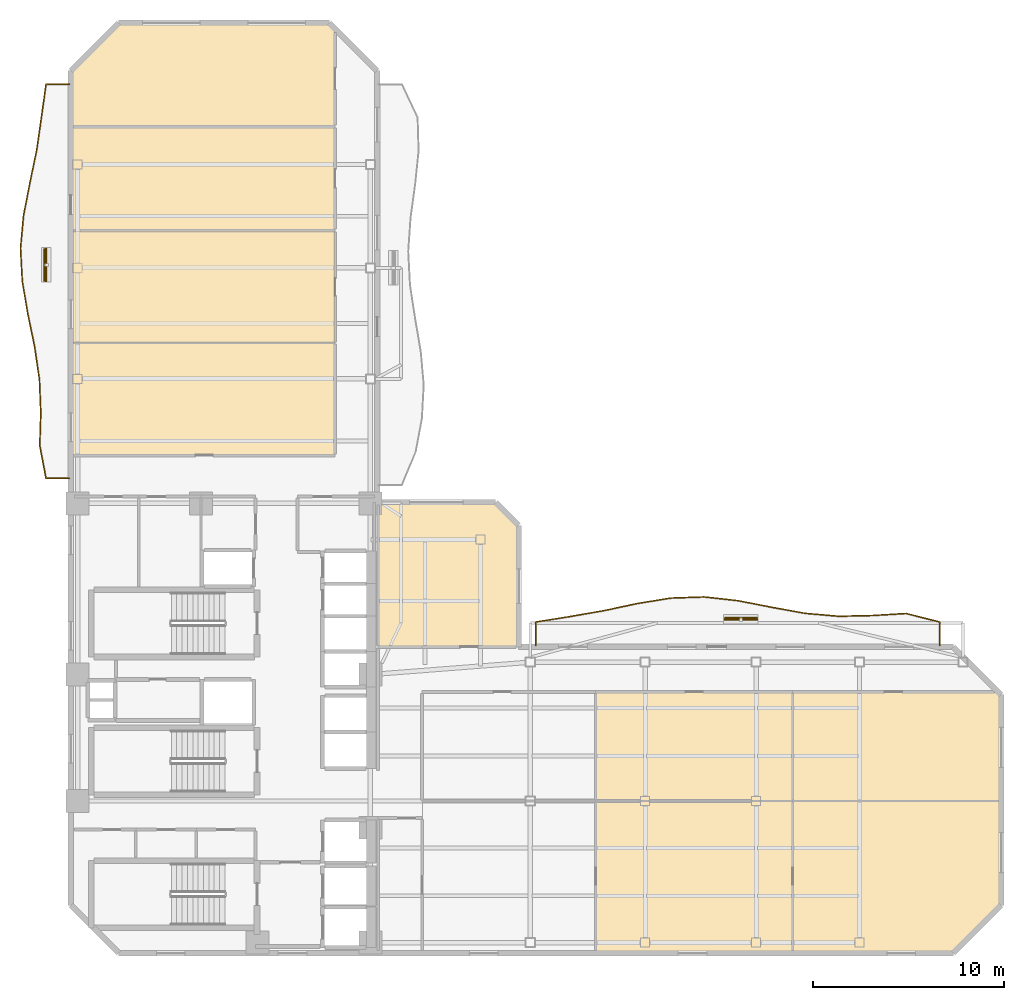
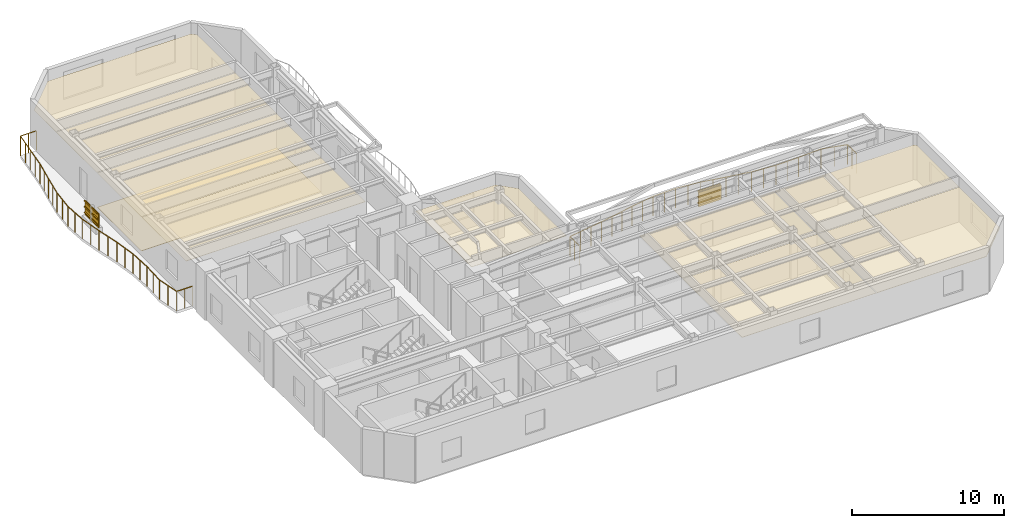
# One storey, part 8 of 9: 10 coverings, 8 shading devices, 2 railings.
"""IFC4 building model written with IfcOpenShell, lengths in metres."""

from ifc_helpers import new_model, si_unit, direction, frame, origin, origin_2d, place, context, subcontext, project, spatial, polyline, rectangle, outline, extrude, material, layer, layer_set, material_profile, profile_set, type_object, element, save


model = new_model("IFC4")

# Units and contexts
model_context = context("Model", 3, precision=1e-05, world=origin(), true_north=direction((0.0, 1.0)))
body_context = subcontext(model_context, "Body", "Model", "MODEL_VIEW")
ifc_project = project(units=[si_unit("LENGTHUNIT", "METRE"), si_unit("AREAUNIT", "SQUARE_METRE"), si_unit("VOLUMEUNIT", "CUBIC_METRE"), si_unit("PLANEANGLEUNIT", "RADIAN"), si_unit("MASSUNIT", "GRAM", prefix="KILO")], contexts=[model_context])

# Site, building, storey
site_placement = place(None, origin())
site = spatial("IfcSite", under=ifc_project, at=site_placement, CompositionType="ELEMENT")
building_placement = place(site_placement, origin())
building = spatial("IfcBuilding", under=site, at=building_placement, Name="Mawjaban Terraces University", CompositionType="ELEMENT")
storey_placement = place(building_placement, frame((0.0, 0.0, 154.10009765625)))
storey = spatial("IfcBuildingStorey", under=building, at=storey_placement, Name="L37", CompositionType="ELEMENT", Elevation=154.10009765625)

# Coverings
ifc_material_1 = material(Name="Acoustic mineral fibre ceiling tile", Category="masonry")
ifc_layer_1 = layer(ifc_material_1, 0.02001953125)
ifc_layer_set_1 = layer_set([ifc_layer_1], Name="Acoustic mineral fibre ceiling tile")
covering_type_1 = type_object("IfcCoveringType", Name="AcousticMineralCeiling_20", PredefinedType="CEILING", material=ifc_layer_set_1)
covering_1_placement = place(storey_placement, frame((0.0, 0.0, 2.75)))
element("IfcCovering", 1, at=covering_1_placement, inside=storey, type_object=covering_type_1, Name="L37 Academic Counseling Room 4 Acoustic Ceiling", PredefinedType="CEILING", context=body_context, shape_type="SweptSolid", body=[
    extrude(outline(polyline([(49.455078125, 0.114990234375), (59.679931640625, 0.114990234375), (59.679931640625, 7.919921875), (49.455078125, 7.919921875), (49.455078125, 0.114990234375)])), origin(), (0.0, 0.0, 1.0), 0.02001953125),
])
covering_2_placement = place(storey_placement, frame((0.0, 0.0, 2.75)))
element("IfcCovering", 2, at=covering_2_placement, inside=storey, type_object=covering_type_1, Name="L37 Faculty Office 5 Acoustic Ceiling", PredefinedType="CEILING", context=body_context, shape_type="SweptSolid", body=[
    extrude(outline(polyline([(59.679931640625, 7.97998046875), (59.679931640625, 13.6201171875), (49.455078125, 13.6201171875), (49.455078125, 7.97998046875), (59.679931640625, 7.97998046875)])), origin(), (0.0, 0.0, 1.0), 0.02001953125),
])
covering_3_placement = place(storey_placement, frame((0.0, 0.0, 2.75)))
element("IfcCovering", 3, at=covering_3_placement, inside=storey, type_object=covering_type_1, Name="L37 Departmental Office 6 Acoustic Ceiling", PredefinedType="CEILING", context=body_context, shape_type="SweptSolid", body=[
    extrude(outline(polyline([(59.739990234375, 0.114990234375), (68.052978515625, 0.114990234375), (70.485107421875, 2.547119140625), (70.485107421875, 7.919921875), (59.739990234375, 7.919921875), (59.739990234375, 0.114990234375)])), origin(), (0.0, 0.0, 1.0), 0.02001953125),
])
covering_4_placement = place(storey_placement, frame((0.0, 0.0, 2.75)))
element("IfcCovering", 4, at=covering_4_placement, inside=storey, type_object=covering_type_1, Name="L37 Faculty Office 7 Acoustic Ceiling", PredefinedType="CEILING", context=body_context, shape_type="SweptSolid", body=[
    extrude(outline(polyline([(70.485107421875, 7.97998046875), (70.485107421875, 13.452880859375), (70.318115234375, 13.6201171875), (59.739990234375, 13.6201171875), (59.739990234375, 7.97998046875), (70.485107421875, 7.97998046875)])), origin(), (0.0, 0.0, 1.0), 0.02001953125),
])
covering_5_placement = place(storey_placement, frame((0.0, 0.0, 2.75)))
element("IfcCovering", 5, at=covering_5_placement, inside=storey, type_object=covering_type_1, Name="L37 Departmental Office 8 Acoustic Ceiling", PredefinedType="CEILING", context=body_context, shape_type="SweptSolid", body=[
    extrude(outline(polyline([(22.114990234375, 31.845947265625), (22.114990234375, 26.030029296875), (35.77001953125, 26.030029296875), (35.77001953125, 31.845947265625), (22.114990234375, 31.845947265625)])), origin(), (0.0, 0.0, 1.0), 0.02001953125),
])
covering_6_placement = place(storey_placement, frame((0.0, 0.0, 2.75)))
element("IfcCovering", 6, at=covering_6_placement, inside=storey, type_object=covering_type_1, Name="L37 Quiet Reading Room 9 Acoustic Ceiling", PredefinedType="CEILING", context=body_context, shape_type="SweptSolid", body=[
    extrude(outline(polyline([(22.114990234375, 37.721923828125), (22.114990234375, 31.906005859375), (35.77001953125, 31.906005859375), (35.77001953125, 37.721923828125), (22.114990234375, 37.721923828125)])), origin(), (0.0, 0.0, 1.0), 0.02001953125),
])
covering_7_placement = place(storey_placement, frame((0.0, 0.0, 2.75)))
element("IfcCovering", 7, at=covering_7_placement, inside=storey, type_object=covering_type_1, Name="L37 Media Workshop 10 Acoustic Ceiling", PredefinedType="CEILING", context=body_context, shape_type="SweptSolid", body=[
    extrude(outline(polyline([(22.114990234375, 43.14599609375), (22.114990234375, 37.781982421875), (35.77001953125, 37.781982421875), (35.77001953125, 43.14599609375), (22.114990234375, 43.14599609375)])), origin(), (0.0, 0.0, 1.0), 0.02001953125),
])
covering_8_placement = place(storey_placement, frame((0.0, 0.0, 2.75)))
element("IfcCovering", 8, at=covering_8_placement, inside=storey, type_object=covering_type_1, Name="L37 Teaching Laboratory 11 Acoustic Ceiling", PredefinedType="CEILING", context=body_context, shape_type="SweptSolid", body=[
    extrude(outline(polyline([(35.77001953125, 48.16796875), (35.452880859375, 48.485107421875), (24.547119140625, 48.485107421875), (22.114990234375, 46.052978515625), (22.114990234375, 43.2060546875), (35.77001953125, 43.2060546875), (35.77001953125, 48.16796875)])), origin(), (0.0, 0.0, 1.0), 0.02001953125),
])
covering_9_placement = place(storey_placement, frame((0.0, 0.0, 2.75)))
element("IfcCovering", 9, at=covering_9_placement, inside=storey, type_object=covering_type_1, Name="L37 Terrace Collaborative Study Room Acoustic Ceiling", PredefinedType="CEILING", context=body_context, shape_type="SweptSolid", body=[
    extrude(outline(polyline([(45.279052734375, 16.030029296875), (45.279052734375, 22.302978515625), (44.14697265625, 23.43505859375), (38.080078125, 23.43505859375), (38.080078125, 16.030029296875), (45.279052734375, 16.030029296875)])), origin(), (0.0, 0.0, 1.0), 0.02001953125),
])

# Railings
ifc_material_2 = material(Name="Galvanised powder-coated steel S355", Category="steel")
railing_type = type_object("IfcRailingType", Name="BalconyBalustrade_1600", PredefinedType="BALUSTRADE", material=ifc_material_2)
railing_1_placement = place(storey_placement, frame((21.919921875, 24.800048828125, 0.0)))
element("IfcRailing", 10, at=railing_1_placement, inside=storey, type_object=railing_type, Name="L37 Balcony Guardrail west", PredefinedType="BALUSTRADE", context=body_context, shape_type="SweptSolid", body=[
    extrude(rectangle(XDim=0.048095703125, YDim=0.048095703125, at=origin_2d()), frame((0.0, 0.0, 1.576171875), z_axis=(-1.0, 0.0, 0.0), x_axis=(0.0, -1.0, 0.0)), (0.0, 0.0, 1.0), 1.219970703125),
    extrude(rectangle(XDim=0.048095703125, YDim=0.048095703125, at=origin_2d()), frame((-1.219970703125, 0.0, 1.576171875), z_axis=(-0.188106664476, 0.982148605242, 0.0), x_axis=(-0.982148605242, -0.188106664476, 0.0)), (0.0, 0.0, 1.0), 1.748291015625),
    extrude(rectangle(XDim=0.048095703125, YDim=0.048095703125, at=origin_2d()), frame((-1.548828125, 1.717041015625, 1.576171875), z_axis=(0.03143011033, 0.999505952041, 0.0), x_axis=(-0.999505952041, 0.03143011033, 0.0)), (0.0, 0.0, 1.0), 1.716552734375),
    extrude(rectangle(XDim=0.048095703125, YDim=0.048095703125, at=origin_2d()), frame((-1.494873046875, 3.432861328125, 1.576171875), z_axis=(-0.04020633666, 0.999191398328, 0.0), x_axis=(-0.999191398328, -0.04020633666, 0.0)), (0.0, 0.0, 1.0), 1.718505859375),
    extrude(rectangle(XDim=0.048095703125, YDim=0.048095703125, at=origin_2d()), frame((-1.56396484375, 5.14990234375, 1.576171875), z_axis=(-0.144631200017, 0.989485632024, 0.0), x_axis=(-0.989485632024, -0.144631200017, 0.0)), (0.0, 0.0, 1.0), 1.7353515625),
    extrude(rectangle(XDim=0.048095703125, YDim=0.048095703125, at=origin_2d()), frame((-1.81494140625, 6.866943359375, 1.576171875), z_axis=(-0.200964718739, 0.9795984799, 0.0), x_axis=(-0.9795984799, -0.200964718739, 0.0)), (0.0, 0.0, 1.0), 1.751708984375),
    extrude(rectangle(XDim=0.048095703125, YDim=0.048095703125, at=origin_2d()), frame((-2.1669921875, 8.5830078125, 1.576171875), z_axis=(-0.168738195739, 0.985660905839, 0.0), x_axis=(-0.985660905839, -0.168738195739, 0.0)), (0.0, 0.0, 1.0), 1.741943359375),
    extrude(rectangle(XDim=0.048095703125, YDim=0.048095703125, at=origin_2d()), frame((-2.4609375, 10.300048828125, 1.576171875), z_axis=(-0.05410153618, 0.998535439423, 0.0), x_axis=(-0.998535439423, -0.05410153618, 0.0)), (0.0, 0.0, 1.0), 1.71923828125),
    extrude(rectangle(XDim=0.048095703125, YDim=0.048095703125, at=origin_2d()), frame((-2.553955078125, 12.016845703125, 1.576171875), z_axis=(0.091659749456, 0.995790384735, 0.0), x_axis=(-0.995790384735, 0.091659749456, 0.0)), (0.0, 0.0, 1.0), 1.723388671875),
    extrude(rectangle(XDim=0.048095703125, YDim=0.048095703125, at=origin_2d()), frame((-2.39599609375, 13.73291015625, 1.576171875), z_axis=(0.190395148573, 0.981707536591, 0.0), x_axis=(-0.981707536591, 0.190395148573, 0.0)), (0.0, 0.0, 1.0), 1.7490234375),
    extrude(rectangle(XDim=0.048095703125, YDim=0.048095703125, at=origin_2d()), frame((-2.06298828125, 15.449951171875, 1.576171875), z_axis=(0.203659617405, 0.979041756126, 0.0), x_axis=(-0.979041756126, 0.203659617405, 0.0)), (0.0, 0.0, 1.0), 1.75390625),
    extrude(rectangle(XDim=0.048095703125, YDim=0.048095703125, at=origin_2d()), frame((-1.705810546875, 17.1669921875, 1.576171875), z_axis=(0.141815668625, 0.989893083182, 0.0), x_axis=(-0.989893083182, 0.141815668625, 0.0)), (0.0, 0.0, 1.0), 1.733642578125),
    extrude(rectangle(XDim=0.048095703125, YDim=0.048095703125, at=origin_2d()), frame((-1.4599609375, 18.883056640625, 1.576171875), z_axis=(0.138443408744, 0.990370346171, 0.0), x_axis=(-0.990370346171, 0.138443408744, 0.0)), (0.0, 0.0, 1.0), 1.7333984375),
    extrude(rectangle(XDim=0.048095703125, YDim=0.048095703125, at=origin_2d()), frame((-1.219970703125, 20.599853515625, 1.576171875), z_axis=(1.0, 0.0, 0.0), x_axis=(0.0, 1.0, 0.0)), (0.0, 0.0, 1.0), 1.219970703125),
    extrude(rectangle(XDim=0.0419921875, YDim=0.0419921875, at=origin_2d()), origin(), (0.0, 0.0, 1.0), 1.552001953125),
    extrude(rectangle(XDim=0.0419921875, YDim=0.0419921875, at=origin_2d()), frame((-0.60986328125, 0.0, 0.0)), (0.0, 0.0, 1.0), 1.552001953125),
    extrude(rectangle(XDim=0.0419921875, YDim=0.0419921875, at=origin_2d()), frame((-1.219970703125, 0.0, 0.0)), (0.0, 0.0, 1.0), 1.552001953125),
    extrude(rectangle(XDim=0.0419921875, YDim=0.0419921875, at=origin_2d()), frame((-1.38427734375, 0.8583984375, 0.0)), (0.0, 0.0, 1.0), 1.552001953125),
    extrude(rectangle(XDim=0.0419921875, YDim=0.0419921875, at=origin_2d()), frame((-1.548828125, 1.717041015625, 0.0)), (0.0, 0.0, 1.0), 1.552001953125),
    extrude(rectangle(XDim=0.0419921875, YDim=0.0419921875, at=origin_2d()), frame((-1.52197265625, 2.574951171875, 0.0)), (0.0, 0.0, 1.0), 1.552001953125),
    extrude(rectangle(XDim=0.0419921875, YDim=0.0419921875, at=origin_2d()), frame((-1.494873046875, 3.432861328125, 0.0)), (0.0, 0.0, 1.0), 1.552001953125),
    extrude(rectangle(XDim=0.0419921875, YDim=0.0419921875, at=origin_2d()), frame((-1.529296875, 4.29150390625, 0.0)), (0.0, 0.0, 1.0), 1.552001953125),
    extrude(rectangle(XDim=0.0419921875, YDim=0.0419921875, at=origin_2d()), frame((-1.56396484375, 5.14990234375, 0.0)), (0.0, 0.0, 1.0), 1.552001953125),
    extrude(rectangle(XDim=0.0419921875, YDim=0.0419921875, at=origin_2d()), frame((-1.689453125, 6.00830078125, 0.0)), (0.0, 0.0, 1.0), 1.552001953125),
    extrude(rectangle(XDim=0.0419921875, YDim=0.0419921875, at=origin_2d()), frame((-1.81494140625, 6.866943359375, 0.0)), (0.0, 0.0, 1.0), 1.552001953125),
    extrude(rectangle(XDim=0.0419921875, YDim=0.0419921875, at=origin_2d()), frame((-1.990966796875, 7.72509765625, 0.0)), (0.0, 0.0, 1.0), 1.552001953125),
    extrude(rectangle(XDim=0.0419921875, YDim=0.0419921875, at=origin_2d()), frame((-2.1669921875, 8.5830078125, 0.0)), (0.0, 0.0, 1.0), 1.552001953125),
    extrude(rectangle(XDim=0.0419921875, YDim=0.0419921875, at=origin_2d()), frame((-2.31396484375, 9.44140625, 0.0)), (0.0, 0.0, 1.0), 1.552001953125),
    extrude(rectangle(XDim=0.0419921875, YDim=0.0419921875, at=origin_2d()), frame((-2.4609375, 10.300048828125, 0.0)), (0.0, 0.0, 1.0), 1.552001953125),
    extrude(rectangle(XDim=0.0419921875, YDim=0.0419921875, at=origin_2d()), frame((-2.50732421875, 11.158447265625, 0.0)), (0.0, 0.0, 1.0), 1.552001953125),
    extrude(rectangle(XDim=0.0419921875, YDim=0.0419921875, at=origin_2d()), frame((-2.553955078125, 12.016845703125, 0.0)), (0.0, 0.0, 1.0), 1.552001953125),
    extrude(rectangle(XDim=0.0419921875, YDim=0.0419921875, at=origin_2d()), frame((-2.47509765625, 12.875, 0.0)), (0.0, 0.0, 1.0), 1.552001953125),
    extrude(rectangle(XDim=0.0419921875, YDim=0.0419921875, at=origin_2d()), frame((-2.39599609375, 13.73291015625, 0.0)), (0.0, 0.0, 1.0), 1.552001953125),
    extrude(rectangle(XDim=0.0419921875, YDim=0.0419921875, at=origin_2d()), frame((-2.2294921875, 14.59130859375, 0.0)), (0.0, 0.0, 1.0), 1.552001953125),
    extrude(rectangle(XDim=0.0419921875, YDim=0.0419921875, at=origin_2d()), frame((-2.06298828125, 15.449951171875, 0.0)), (0.0, 0.0, 1.0), 1.552001953125),
    extrude(rectangle(XDim=0.0419921875, YDim=0.0419921875, at=origin_2d()), frame((-1.88427734375, 16.30859375, 0.0)), (0.0, 0.0, 1.0), 1.552001953125),
    extrude(rectangle(XDim=0.0419921875, YDim=0.0419921875, at=origin_2d()), frame((-1.705810546875, 17.1669921875, 0.0)), (0.0, 0.0, 1.0), 1.552001953125),
    extrude(rectangle(XDim=0.0419921875, YDim=0.0419921875, at=origin_2d()), frame((-1.5830078125, 18.02490234375, 0.0)), (0.0, 0.0, 1.0), 1.552001953125),
    extrude(rectangle(XDim=0.0419921875, YDim=0.0419921875, at=origin_2d()), frame((-1.4599609375, 18.883056640625, 0.0)), (0.0, 0.0, 1.0), 1.552001953125),
    extrude(rectangle(XDim=0.0419921875, YDim=0.0419921875, at=origin_2d()), frame((-1.33984375, 19.741455078125, 0.0)), (0.0, 0.0, 1.0), 1.552001953125),
    extrude(rectangle(XDim=0.0419921875, YDim=0.0419921875, at=origin_2d()), frame((-1.219970703125, 20.599853515625, 0.0)), (0.0, 0.0, 1.0), 1.552001953125),
    extrude(rectangle(XDim=0.0419921875, YDim=0.0419921875, at=origin_2d()), frame((-0.60986328125, 20.599853515625, 0.0)), (0.0, 0.0, 1.0), 1.552001953125),
    extrude(rectangle(XDim=0.0419921875, YDim=0.0419921875, at=origin_2d()), frame((0.0, 20.599853515625, 0.0)), (0.0, 0.0, 1.0), 1.552001953125),
])
railing_2_placement = place(storey_placement, frame((46.2939453125, 16.080078125, 0.0)))
element("IfcRailing", 11, at=railing_2_placement, inside=storey, type_object=railing_type, Name="L37 Balcony Guardrail inner_north", PredefinedType="BALUSTRADE", context=body_context, shape_type="SweptSolid", body=[
    extrude(rectangle(XDim=0.048095703125, YDim=0.048095703125, at=origin_2d()), frame((0.0, 0.0, 1.576171875), z_axis=(0.0, 1.0, 0.0), x_axis=(-1.0, 0.0, 0.0)), (0.0, 0.0, 1.0), 1.219970703125),
    extrude(rectangle(XDim=0.048095703125, YDim=0.048095703125, at=origin_2d()), frame((0.0, 1.219970703125, 1.576171875), z_axis=(0.987307742839, 0.158818830527, 0.0), x_axis=(-0.158818830527, 0.987307742839, 0.0)), (0.0, 0.0, 1.0), 1.78173828125),
    extrude(rectangle(XDim=0.048095703125, YDim=0.048095703125, at=origin_2d()), frame((1.759033203125, 1.5029296875, 1.576171875), z_axis=(0.985396876408, 0.170273297866, 0.0), x_axis=(-0.170273297866, 0.985396876408, 0.0)), (0.0, 0.0, 1.0), 1.78515625),
    extrude(rectangle(XDim=0.048095703125, YDim=0.048095703125, at=origin_2d()), frame((3.51806640625, 1.806884765625, 1.576171875), z_axis=(0.977887786691, 0.20913028628, 0.0), x_axis=(-0.20913028628, 0.977887786691, 0.0)), (0.0, 0.0, 1.0), 1.7978515625),
    extrude(rectangle(XDim=0.048095703125, YDim=0.048095703125, at=origin_2d()), frame((5.276123046875, 2.182861328125, 1.576171875), z_axis=(0.986939992765, 0.161088331921, 0.0), x_axis=(-0.161088331921, 0.986939992765, 0.0)), (0.0, 0.0, 1.0), 1.7822265625),
    extrude(rectangle(XDim=0.048095703125, YDim=0.048095703125, at=origin_2d()), frame((7.03515625, 2.469970703125, 1.576171875), z_axis=(0.999417476834, 0.034127803901, 0.0), x_axis=(-0.034127803901, 0.999417476834, 0.0)), (0.0, 0.0, 1.0), 1.759765625),
    extrude(rectangle(XDim=0.048095703125, YDim=0.048095703125, at=origin_2d()), frame((8.7939453125, 2.530029296875, 1.576171875), z_axis=(0.993967565385, -0.109674422551, 0.0), x_axis=(0.109674422551, 0.993967565385, 0.0)), (0.0, 0.0, 1.0), 1.769775390625),
    extrude(rectangle(XDim=0.048095703125, YDim=0.048095703125, at=origin_2d()), frame((10.552978515625, 2.3359375, 1.576171875), z_axis=(0.981409948668, -0.19192319468, 0.0), x_axis=(0.19192319468, 0.981409948668, 0.0)), (0.0, 0.0, 1.0), 1.792236328125),
    extrude(rectangle(XDim=0.048095703125, YDim=0.048095703125, at=origin_2d()), frame((12.31201171875, 1.991943359375, 1.576171875), z_axis=(0.983941935841, -0.178488842491, 0.0), x_axis=(0.178488842491, 0.983941935841, 0.0)), (0.0, 0.0, 1.0), 1.787841796875),
    extrude(rectangle(XDim=0.048095703125, YDim=0.048095703125, at=origin_2d()), frame((14.071044921875, 1.6728515625, 1.576171875), z_axis=(0.996246811736, -0.086558015843, 0.0), x_axis=(0.086558015843, 0.996246811736, 0.0)), (0.0, 0.0, 1.0), 1.765625),
    extrude(rectangle(XDim=0.048095703125, YDim=0.048095703125, at=origin_2d()), frame((15.830078125, 1.52001953125, 1.576171875), z_axis=(0.99974390993, 0.022629948246, 0.0), x_axis=(-0.022629948246, 0.99974390993, 0.0)), (0.0, 0.0, 1.0), 1.758544921875),
    extrude(rectangle(XDim=0.048095703125, YDim=0.048095703125, at=origin_2d()), frame((17.588134765625, 1.559814453125, 1.576171875), z_axis=(0.99818241287, 0.060265003414, 0.0), x_axis=(-0.060265003414, 0.99818241287, 0.0)), (0.0, 0.0, 1.0), 1.76220703125),
    extrude(rectangle(XDim=0.048095703125, YDim=0.048095703125, at=origin_2d()), frame((19.34716796875, 1.666015625, 1.576171875), z_axis=(0.969313770161, -0.245826798735, 0.0), x_axis=(0.245826798735, 0.969313770161, 0.0)), (0.0, 0.0, 1.0), 1.814453125),
    extrude(rectangle(XDim=0.048095703125, YDim=0.048095703125, at=origin_2d()), frame((21.10595703125, 1.219970703125, 1.576171875), z_axis=(0.0, -1.0, 0.0), x_axis=(1.0, 0.0, 0.0)), (0.0, 0.0, 1.0), 1.219970703125),
    extrude(rectangle(XDim=0.0419921875, YDim=0.0419921875, at=origin_2d()), origin(), (0.0, 0.0, 1.0), 1.552001953125),
    extrude(rectangle(XDim=0.0419921875, YDim=0.0419921875, at=origin_2d()), frame((0.0, 0.60986328125, 0.0)), (0.0, 0.0, 1.0), 1.552001953125),
    extrude(rectangle(XDim=0.0419921875, YDim=0.0419921875, at=origin_2d()), frame((0.0, 1.219970703125, 0.0)), (0.0, 0.0, 1.0), 1.552001953125),
    extrude(rectangle(XDim=0.0419921875, YDim=0.0419921875, at=origin_2d()), frame((0.87939453125, 1.361328125, 0.0)), (0.0, 0.0, 1.0), 1.552001953125),
    extrude(rectangle(XDim=0.0419921875, YDim=0.0419921875, at=origin_2d()), frame((1.759033203125, 1.5029296875, 0.0)), (0.0, 0.0, 1.0), 1.552001953125),
    extrude(rectangle(XDim=0.0419921875, YDim=0.0419921875, at=origin_2d()), frame((2.638671875, 1.65478515625, 0.0)), (0.0, 0.0, 1.0), 1.552001953125),
    extrude(rectangle(XDim=0.0419921875, YDim=0.0419921875, at=origin_2d()), frame((3.51806640625, 1.806884765625, 0.0)), (0.0, 0.0, 1.0), 1.552001953125),
    extrude(rectangle(XDim=0.0419921875, YDim=0.0419921875, at=origin_2d()), frame((4.39697265625, 1.994873046875, 0.0)), (0.0, 0.0, 1.0), 1.552001953125),
    extrude(rectangle(XDim=0.0419921875, YDim=0.0419921875, at=origin_2d()), frame((5.276123046875, 2.182861328125, 0.0)), (0.0, 0.0, 1.0), 1.552001953125),
    extrude(rectangle(XDim=0.0419921875, YDim=0.0419921875, at=origin_2d()), frame((6.15576171875, 2.326416015625, 0.0)), (0.0, 0.0, 1.0), 1.552001953125),
    extrude(rectangle(XDim=0.0419921875, YDim=0.0419921875, at=origin_2d()), frame((7.03515625, 2.469970703125, 0.0)), (0.0, 0.0, 1.0), 1.552001953125),
    extrude(rectangle(XDim=0.0419921875, YDim=0.0419921875, at=origin_2d()), frame((7.91455078125, 2.5, 0.0)), (0.0, 0.0, 1.0), 1.552001953125),
    extrude(rectangle(XDim=0.0419921875, YDim=0.0419921875, at=origin_2d()), frame((8.7939453125, 2.530029296875, 0.0)), (0.0, 0.0, 1.0), 1.552001953125),
    extrude(rectangle(XDim=0.0419921875, YDim=0.0419921875, at=origin_2d()), frame((9.67333984375, 2.43310546875, 0.0)), (0.0, 0.0, 1.0), 1.552001953125),
    extrude(rectangle(XDim=0.0419921875, YDim=0.0419921875, at=origin_2d()), frame((10.552978515625, 2.3359375, 0.0)), (0.0, 0.0, 1.0), 1.552001953125),
    extrude(rectangle(XDim=0.0419921875, YDim=0.0419921875, at=origin_2d()), frame((11.4326171875, 2.1640625, 0.0)), (0.0, 0.0, 1.0), 1.552001953125),
    extrude(rectangle(XDim=0.0419921875, YDim=0.0419921875, at=origin_2d()), frame((12.31201171875, 1.991943359375, 0.0)), (0.0, 0.0, 1.0), 1.552001953125),
    extrude(rectangle(XDim=0.0419921875, YDim=0.0419921875, at=origin_2d()), frame((13.19140625, 1.83251953125, 0.0)), (0.0, 0.0, 1.0), 1.552001953125),
    extrude(rectangle(XDim=0.0419921875, YDim=0.0419921875, at=origin_2d()), frame((14.071044921875, 1.6728515625, 0.0)), (0.0, 0.0, 1.0), 1.552001953125),
    extrude(rectangle(XDim=0.0419921875, YDim=0.0419921875, at=origin_2d()), frame((14.95068359375, 1.596435546875, 0.0)), (0.0, 0.0, 1.0), 1.552001953125),
    extrude(rectangle(XDim=0.0419921875, YDim=0.0419921875, at=origin_2d()), frame((15.830078125, 1.52001953125, 0.0)), (0.0, 0.0, 1.0), 1.552001953125),
    extrude(rectangle(XDim=0.0419921875, YDim=0.0419921875, at=origin_2d()), frame((16.708984375, 1.5400390625, 0.0)), (0.0, 0.0, 1.0), 1.552001953125),
    extrude(rectangle(XDim=0.0419921875, YDim=0.0419921875, at=origin_2d()), frame((17.588134765625, 1.559814453125, 0.0)), (0.0, 0.0, 1.0), 1.552001953125),
    extrude(rectangle(XDim=0.0419921875, YDim=0.0419921875, at=origin_2d()), frame((18.4677734375, 1.61279296875, 0.0)), (0.0, 0.0, 1.0), 1.552001953125),
    extrude(rectangle(XDim=0.0419921875, YDim=0.0419921875, at=origin_2d()), frame((19.34716796875, 1.666015625, 0.0)), (0.0, 0.0, 1.0), 1.552001953125),
    extrude(rectangle(XDim=0.0419921875, YDim=0.0419921875, at=origin_2d()), frame((20.2265625, 1.44287109375, 0.0)), (0.0, 0.0, 1.0), 1.552001953125),
    extrude(rectangle(XDim=0.0419921875, YDim=0.0419921875, at=origin_2d()), frame((21.10595703125, 1.219970703125, 0.0)), (0.0, 0.0, 1.0), 1.552001953125),
    extrude(rectangle(XDim=0.0419921875, YDim=0.0419921875, at=origin_2d()), frame((21.10595703125, 0.60986328125, 0.0)), (0.0, 0.0, 1.0), 1.552001953125),
    extrude(rectangle(XDim=0.0419921875, YDim=0.0419921875, at=origin_2d()), frame((21.10595703125, 0.0, 0.0)), (0.0, 0.0, 1.0), 1.552001953125),
])

# Shading devices
ifc_material_3 = material(Name="Glazed architectural terracotta ceramic", Category="masonry")
ifc_material_profile = material_profile(ifc_material_3, rectangle(XDim=0.06494140625, YDim=0.110107421875, at=origin_2d()), Name="TBAG110X65")
ifc_profile_set = profile_set([ifc_material_profile], Name="Glazed architectural terracotta ceramic")
shading_device_type_1 = type_object("IfcShadingDeviceType", Name="TerracottaBaguette_110x65", PredefinedType="USERDEFINED", material=ifc_profile_set)
for number, where, z_axis, x_axis, name in (
    (12, (20.6259765625, 35.10888671875, 0.679931640625), (0.0, 1.0, 0.0), (-1.0, 0.0, 0.0), "L37 Horizontal Terracotta Baguette west.1"),
    (13, (20.6259765625, 35.10888671875, 1.14990234375), (0.0, 1.0, 0.0), (-1.0, 0.0, 0.0), "L37 Horizontal Terracotta Baguette west.2"),
    (14, (20.6259765625, 35.10888671875, 1.619873046875), (0.0, 1.0, 0.0), (-1.0, 0.0, 0.0), "L37 Horizontal Terracotta Baguette west.3"),
):
    element("IfcShadingDevice", number, at=place(storey_placement, frame(where, z_axis=z_axis, x_axis=x_axis)), inside=storey, type_object=shading_device_type_1, Name=name, ObjectType="BAGUETTE", PredefinedType="USERDEFINED", context=body_context, shape_type="SweptSolid", body=[
        extrude(rectangle(XDim=0.06494140625, YDim=0.110107421875, at=origin_2d()), origin(), (0.0, 0.0, 1.0), 1.7001953125),
    ])
for number, where, z_axis, x_axis, name in (
    (15, (56.157958984375, 17.52587890625, 0.679931640625), (1.0, 0.0, 0.0), (0.0, 1.0, 0.0), "L37 Horizontal Terracotta Baguette inner_north.1"),
    (16, (56.157958984375, 17.52587890625, 1.14990234375), (1.0, 0.0, 0.0), (0.0, 1.0, 0.0), "L37 Horizontal Terracotta Baguette inner_north.2"),
    (17, (56.157958984375, 17.52587890625, 1.619873046875), (1.0, 0.0, 0.0), (0.0, 1.0, 0.0), "L37 Horizontal Terracotta Baguette inner_north.3"),
):
    element("IfcShadingDevice", number, at=place(storey_placement, frame(where, z_axis=z_axis, x_axis=x_axis)), inside=storey, type_object=shading_device_type_1, Name=name, ObjectType="BAGUETTE", PredefinedType="USERDEFINED", context=body_context, shape_type="SweptSolid", body=[
        extrude(rectangle(XDim=0.06494140625, YDim=0.110107421875, at=origin_2d()), origin(), (0.0, 0.0, 1.0), 1.699951171875),
    ])
ifc_layer_2 = layer(ifc_material_3, 0.080078125)
ifc_layer_set_2 = layer_set([ifc_layer_2], Name="Glazed architectural terracotta ceramic")
shading_device_type_2 = type_object("IfcShadingDeviceType", Name="TerracottaScreen_Perforated", PredefinedType="USERDEFINED", material=ifc_layer_set_2)
for number, where, z_axis, x_axis, name in (
    (18, (20.7109375, 35.958984375, 0.43994140625), (0.0, 0.0, 1.0), (0.0, 1.0, 0.0), "L37 Balcony Perforated Terracotta Screen west"),
    (19, (57.008056640625, 17.44091796875, 0.43994140625), (0.0, 0.0, 1.0), (1.0, 0.0, 0.0), "L37 Balcony Perforated Terracotta Screen inner_north"),
):
    element("IfcShadingDevice", number, at=place(storey_placement, frame(where, z_axis=z_axis, x_axis=x_axis)), inside=storey, type_object=shading_device_type_2, Name=name, ObjectType="SCREEN", PredefinedType="USERDEFINED", context=body_context, shape_type="SweptSolid", body=[
        extrude(rectangle(XDim=1.75, YDim=0.080078125, at=origin_2d()), origin(), (0.0, 0.0, 1.0), 1.14990234375),
    ])

# Covering
ifc_material_4 = material(Name="Polished Hijazi granite terrazzo flooring", Category="masonry")
ifc_layer_3 = layer(ifc_material_4, 0.02490234375)
ifc_layer_set_3 = layer_set([ifc_layer_3], Name="Polished Hijazi granite terrazzo flooring")
covering_type_2 = type_object("IfcCoveringType", Name="TerrazzoConcourseFlooring_25", PredefinedType="FLOORING", material=ifc_layer_set_3)
covering_10_placement = place(storey_placement, origin())
element("IfcCovering", 20, at=covering_10_placement, inside=storey, type_object=covering_type_2, Name="L37 Quiet Reading Room 9 Terrazzo Flooring", PredefinedType="FLOORING", context=body_context, shape_type="SweptSolid", body=[
    extrude(outline(polyline([(22.114990234375, 37.721923828125), (22.114990234375, 31.906005859375), (35.77001953125, 31.906005859375), (35.77001953125, 37.721923828125), (22.114990234375, 37.721923828125)])), origin(), (0.0, 0.0, 1.0), 0.02490234375),
])

save(model, "model.ifc")
